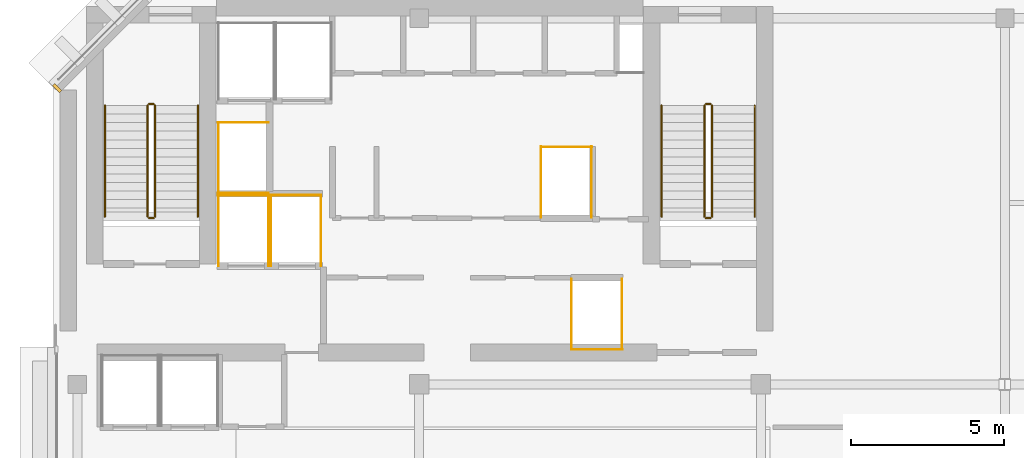
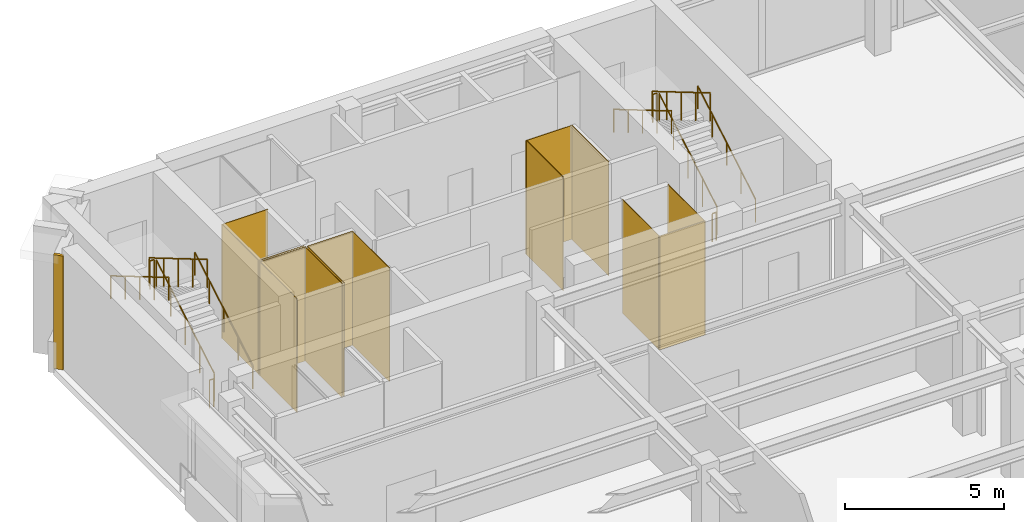
# One storey, part 8 of 9: 16 coverings, 12 railings.
"""IFC4 building model written with IfcOpenShell, lengths in metres."""

from ifc_helpers import new_model, si_unit, direction, frame, origin, origin_2d, place, context, subcontext, project, spatial, polyline, rectangle, circle, outline, extrude, material, layer, layer_set, type_object, element, save


model = new_model("IFC4")

# Units and contexts
model_context = context("Model", 3, precision=1e-05, world=origin(), true_north=direction((0.0, 1.0)))
body_context = subcontext(model_context, "Body", "Model", "MODEL_VIEW")
ifc_project = project(units=[si_unit("LENGTHUNIT", "METRE"), si_unit("AREAUNIT", "SQUARE_METRE"), si_unit("VOLUMEUNIT", "CUBIC_METRE"), si_unit("PLANEANGLEUNIT", "RADIAN"), si_unit("MASSUNIT", "GRAM", prefix="KILO")], contexts=[model_context])

# Site, building, storey
site_placement = place(None, origin())
site = spatial("IfcSite", under=ifc_project, at=site_placement, CompositionType="ELEMENT")
building_placement = place(site_placement, origin())
building = spatial("IfcBuilding", under=site, at=building_placement, Name="Kefirva Bronze Tower", CompositionType="ELEMENT")
storey_placement = place(building_placement, frame((0.0, 0.0, 352.110107421875)))
storey = spatial("IfcBuildingStorey", under=building, at=storey_placement, Name="L86", CompositionType="ELEMENT", Elevation=352.110107421875)

# Coverings
ifc_material_1 = material(Name="Bronze anodised aluminium", Category="aluminium")
ifc_layer = layer(ifc_material_1, 0.02001953125, Name="Bronze anodised aluminium")
ifc_layer_set = layer_set([ifc_layer], Name="Bronze anodised aluminium")
covering_type = type_object("IfcCoveringType", Name="Anodised Bronze Spandrel Cladding 20mm", PredefinedType="CLADDING", material=ifc_layer_set)
covering_1_placement = place(storey_placement, frame((0.137939453125, 42.91162109375, -0.000244140625), z_axis=(0.0, 0.0, 1.0), x_axis=(-0.707106781187, -0.707106781187, 0.0)))
element("IfcCovering", 1, at=covering_1_placement, inside=storey, type_object=covering_type, Name="L86 Facade Joint Closure Panel 6E", PredefinedType="CLADDING", context=body_context, shape_type="SweptSolid", body=[
    extrude(rectangle(XDim=0.10009765625, YDim=0.320068359375, at=origin_2d()), origin(), (0.0, 0.0, 1.0), 4.3701171875),
])
covering_2_placement = place(storey_placement, origin())
element("IfcCovering", 2, at=covering_2_placement, inside=storey, type_object=covering_type, Name="L86 Lift FF1 Hoistway Liner N", PredefinedType="CLADDING", context=body_context, shape_type="SweptSolid", body=[
    extrude(outline(polyline([(5.39990234375, 39.389892578125), (7.080078125, 39.389892578125), (7.080078125, 39.409912109375), (5.39990234375, 39.409912109375), (5.39990234375, 39.389892578125)])), origin(), (0.0, 0.0, 1.0), 4.369873046875),
])
covering_3_placement = place(storey_placement, origin())
element("IfcCovering", 3, at=covering_3_placement, inside=storey, type_object=covering_type, Name="L86 Lift FF1 Hoistway Liner W", PredefinedType="CLADDING", context=body_context, shape_type="SweptSolid", body=[
    extrude(outline(polyline([(5.409912109375, 37.080078125), (5.429931640625, 37.080078125), (5.429931640625, 39.419921875), (5.409912109375, 39.419921875), (5.409912109375, 37.080078125)])), origin(), (0.0, 0.0, 1.0), 4.369873046875),
])
covering_4_placement = place(storey_placement, origin())
element("IfcCovering", 4, at=covering_4_placement, inside=storey, type_object=covering_type, Name="L86 Lift FF1 Hoistway Liner E", PredefinedType="CLADDING", context=body_context, shape_type="SweptSolid", body=[
    extrude(outline(polyline([(7.050048828125, 37.080078125), (7.070068359375, 37.080078125), (7.070068359375, 39.419921875), (7.050048828125, 39.419921875), (7.050048828125, 37.080078125)])), origin(), (0.0, 0.0, 1.0), 4.369873046875),
])
covering_5_placement = place(storey_placement, origin())
element("IfcCovering", 5, at=covering_5_placement, inside=storey, type_object=covering_type, Name="L86 Lift FF2 Hoistway Liner N", PredefinedType="CLADDING", context=body_context, shape_type="SweptSolid", body=[
    extrude(outline(polyline([(7.1201171875, 39.389892578125), (8.800048828125, 39.389892578125), (8.800048828125, 39.409912109375), (7.1201171875, 39.409912109375), (7.1201171875, 39.389892578125)])), origin(), (0.0, 0.0, 1.0), 4.369873046875),
])
covering_6_placement = place(storey_placement, origin())
element("IfcCovering", 6, at=covering_6_placement, inside=storey, type_object=covering_type, Name="L86 Lift FF2 Hoistway Liner W", PredefinedType="CLADDING", context=body_context, shape_type="SweptSolid", body=[
    extrude(outline(polyline([(7.1298828125, 37.080078125), (7.14990234375, 37.080078125), (7.14990234375, 39.419921875), (7.1298828125, 39.419921875), (7.1298828125, 37.080078125)])), origin(), (0.0, 0.0, 1.0), 4.369873046875),
])
covering_7_placement = place(storey_placement, origin())
element("IfcCovering", 7, at=covering_7_placement, inside=storey, type_object=covering_type, Name="L86 Lift FF2 Hoistway Liner E", PredefinedType="CLADDING", context=body_context, shape_type="SweptSolid", body=[
    extrude(outline(polyline([(8.77001953125, 37.080078125), (8.7900390625, 37.080078125), (8.7900390625, 39.419921875), (8.77001953125, 39.419921875), (8.77001953125, 37.080078125)])), origin(), (0.0, 0.0, 1.0), 4.369873046875),
])
covering_8_placement = place(storey_placement, origin())
element("IfcCovering", 8, at=covering_8_placement, inside=storey, type_object=covering_type, Name="L86 Lift HP1 Hoistway Liner S", PredefinedType="CLADDING", context=body_context, shape_type="SweptSolid", body=[
    extrude(outline(polyline([(16.97998046875, 34.340087890625), (18.669921875, 34.340087890625), (18.669921875, 34.360107421875), (16.97998046875, 34.360107421875), (16.97998046875, 34.340087890625)])), origin(), (0.0, 0.0, 1.0), 4.369873046875),
])
covering_9_placement = place(storey_placement, origin())
element("IfcCovering", 9, at=covering_9_placement, inside=storey, type_object=covering_type, Name="L86 Lift HP1 Hoistway Liner W", PredefinedType="CLADDING", context=body_context, shape_type="SweptSolid", body=[
    extrude(outline(polyline([(16.989990234375, 34.330078125), (17.010009765625, 34.330078125), (17.010009765625, 36.669921875), (16.989990234375, 36.669921875), (16.989990234375, 34.330078125)])), origin(), (0.0, 0.0, 1.0), 4.369873046875),
])
covering_10_placement = place(storey_placement, origin())
element("IfcCovering", 10, at=covering_10_placement, inside=storey, type_object=covering_type, Name="L86 Lift HP1 Hoistway Liner E", PredefinedType="CLADDING", context=body_context, shape_type="SweptSolid", body=[
    extrude(outline(polyline([(18.639892578125, 34.330078125), (18.659912109375, 34.330078125), (18.659912109375, 36.669921875), (18.639892578125, 36.669921875), (18.639892578125, 34.330078125)])), origin(), (0.0, 0.0, 1.0), 4.369873046875),
])
covering_11_placement = place(storey_placement, origin())
element("IfcCovering", 11, at=covering_11_placement, inside=storey, type_object=covering_type, Name="L86 Lift HP2 Hoistway Liner N", PredefinedType="CLADDING", context=body_context, shape_type="SweptSolid", body=[
    extrude(outline(polyline([(15.97998046875, 40.969970703125), (17.669921875, 40.969970703125), (17.669921875, 40.989990234375), (15.97998046875, 40.989990234375), (15.97998046875, 40.969970703125)])), origin(), (0.0, 0.0, 1.0), 4.369873046875),
])
covering_12_placement = place(storey_placement, origin())
element("IfcCovering", 12, at=covering_12_placement, inside=storey, type_object=covering_type, Name="L86 Lift HP2 Hoistway Liner W", PredefinedType="CLADDING", context=body_context, shape_type="SweptSolid", body=[
    extrude(outline(polyline([(15.989990234375, 38.659912109375), (16.010009765625, 38.659912109375), (16.010009765625, 41.0), (15.989990234375, 41.0), (15.989990234375, 38.659912109375)])), origin(), (0.0, 0.0, 1.0), 4.369873046875),
])
covering_13_placement = place(storey_placement, origin())
element("IfcCovering", 13, at=covering_13_placement, inside=storey, type_object=covering_type, Name="L86 Lift HP2 Hoistway Liner E", PredefinedType="CLADDING", context=body_context, shape_type="SweptSolid", body=[
    extrude(outline(polyline([(17.639892578125, 38.659912109375), (17.659912109375, 38.659912109375), (17.659912109375, 41.0), (17.639892578125, 41.0), (17.639892578125, 38.659912109375)])), origin(), (0.0, 0.0, 1.0), 4.369873046875),
])
covering_14_placement = place(storey_placement, origin())
element("IfcCovering", 14, at=covering_14_placement, inside=storey, type_object=covering_type, Name="L86 Lift HP3 Hoistway Liner N", PredefinedType="CLADDING", context=body_context, shape_type="SweptSolid", body=[
    extrude(outline(polyline([(5.39990234375, 41.77001953125), (7.080078125, 41.77001953125), (7.080078125, 41.7900390625), (5.39990234375, 41.7900390625), (5.39990234375, 41.77001953125)])), origin(), (0.0, 0.0, 1.0), 4.369873046875),
])
covering_15_placement = place(storey_placement, origin())
element("IfcCovering", 15, at=covering_15_placement, inside=storey, type_object=covering_type, Name="L86 Lift HP3 Hoistway Liner S", PredefinedType="CLADDING", context=body_context, shape_type="SweptSolid", body=[
    extrude(outline(polyline([(5.39990234375, 39.469970703125), (7.080078125, 39.469970703125), (7.080078125, 39.489990234375), (5.39990234375, 39.489990234375), (5.39990234375, 39.469970703125)])), origin(), (0.0, 0.0, 1.0), 4.369873046875),
])
covering_16_placement = place(storey_placement, origin())
element("IfcCovering", 16, at=covering_16_placement, inside=storey, type_object=covering_type, Name="L86 Lift HP3 Hoistway Liner W", PredefinedType="CLADDING", context=body_context, shape_type="SweptSolid", body=[
    extrude(outline(polyline([(5.409912109375, 39.4599609375), (5.429931640625, 39.4599609375), (5.429931640625, 41.800048828125), (5.409912109375, 41.800048828125), (5.409912109375, 39.4599609375)])), origin(), (0.0, 0.0, 1.0), 4.369873046875),
])

# Railings
ifc_material_2 = material(Name="Stainless steel 316", Category="steel")
railing_type_1 = type_object("IfcRailingType", Name="Interior Stair Guardrail 1100mm", PredefinedType="GUARDRAIL", material=ifc_material_2)
railing_1_placement = place(storey_placement, frame((3.35009765625, 38.699951171875, 0.164794921875)))
element("IfcRailing", 17, at=railing_1_placement, inside=storey, type_object=railing_type_1, Name="L86 ST-1 stair guard 1", PredefinedType="GUARDRAIL", context=body_context, shape_type="SweptSolid", body=[
    extrude(circle(Radius=0.02392578125, at=origin_2d()), frame((0.0, 0.0, 1.076171875), z_axis=(0.0, 0.861544779993, 0.507681585313), x_axis=(-1.0, 0.0, 0.0)), (0.0, 0.0, 1.0), 4.22509765625),
    extrude(circle(Radius=0.02099609375, at=origin_2d()), origin(), (0.0, 0.0, 1.0), 1.052001953125),
    extrude(circle(Radius=0.02099609375, at=origin_2d()), frame((0.0, 0.91015625, 0.5361328125)), (0.0, 0.0, 1.0), 1.052001953125),
    extrude(circle(Radius=0.02099609375, at=origin_2d()), frame((0.0, 1.820068359375, 1.072509765625)), (0.0, 0.0, 1.0), 1.052001953125),
    extrude(circle(Radius=0.02099609375, at=origin_2d()), frame((0.0, 2.72998046875, 1.60888671875)), (0.0, 0.0, 1.0), 1.052001953125),
    extrude(circle(Radius=0.02099609375, at=origin_2d()), frame((0.0, 3.64013671875, 2.14501953125)), (0.0, 0.0, 1.0), 1.052001953125),
])
railing_2_placement = place(storey_placement, frame((3.300048828125, 42.389892578125, 2.309814453125)))
element("IfcRailing", 18, at=railing_2_placement, inside=storey, type_object=railing_type_1, Name="L86 ST-1 stair guard 2", PredefinedType="GUARDRAIL", context=body_context, shape_type="SweptSolid", body=[
    extrude(circle(Radius=0.02392578125, at=origin_2d()), frame((0.0, 0.0, 1.076171875), z_axis=(-1.0, 0.0, 0.0), x_axis=(0.0, -1.0, 0.0)), (0.0, 0.0, 1.0), 0.150146484375),
    extrude(circle(Radius=0.02099609375, at=origin_2d()), origin(), (0.0, 0.0, 1.0), 1.052001953125),
    extrude(circle(Radius=0.02099609375, at=origin_2d()), frame((-0.150146484375, 0.0, 0.0)), (0.0, 0.0, 1.0), 1.052001953125),
])
railing_3_placement = place(storey_placement, frame((3.10009765625, 42.340087890625, 2.474853515625)))
element("IfcRailing", 19, at=railing_3_placement, inside=storey, type_object=railing_type_1, Name="L86 ST-1 stair guard 3", PredefinedType="GUARDRAIL", context=body_context, shape_type="SweptSolid", body=[
    extrude(circle(Radius=0.02392578125, at=origin_2d()), frame((0.0, 0.0, 1.076171875), z_axis=(0.0, -0.861544779993, 0.507681585313), x_axis=(1.0, 0.0, 0.0)), (0.0, 0.0, 1.0), 4.22509765625),
    extrude(circle(Radius=0.02099609375, at=origin_2d()), origin(), (0.0, 0.0, 1.0), 1.052001953125),
    extrude(circle(Radius=0.02099609375, at=origin_2d()), frame((0.0, -0.91015625, 0.5361328125)), (0.0, 0.0, 1.0), 1.052001953125),
    extrude(circle(Radius=0.02099609375, at=origin_2d()), frame((0.0, -1.820068359375, 1.072509765625)), (0.0, 0.0, 1.0), 1.052001953125),
    extrude(circle(Radius=0.02099609375, at=origin_2d()), frame((0.0, -2.72998046875, 1.60888671875)), (0.0, 0.0, 1.0), 1.052001953125),
    extrude(circle(Radius=0.02099609375, at=origin_2d()), frame((0.0, -3.64013671875, 2.14501953125)), (0.0, 0.0, 1.0), 1.052001953125),
])
railing_4_placement = place(storey_placement, frame((3.300048828125, 38.64990234375, 0.0)))
element("IfcRailing", 20, at=railing_4_placement, inside=storey, type_object=railing_type_1, Name="L86 ST-1 stair guard 4", PredefinedType="GUARDRAIL", context=body_context, shape_type="SweptSolid", body=[
    extrude(circle(Radius=0.02392578125, at=origin_2d()), frame((0.0, 0.0, 1.076171875), z_axis=(-1.0, 0.0, 0.0), x_axis=(0.0, -1.0, 0.0)), (0.0, 0.0, 1.0), 0.150146484375),
    extrude(circle(Radius=0.02099609375, at=origin_2d()), origin(), (0.0, 0.0, 1.0), 1.052001953125),
    extrude(circle(Radius=0.02099609375, at=origin_2d()), frame((-0.150146484375, 0.0, 0.0)), (0.0, 0.0, 1.0), 1.052001953125),
])
railing_5_placement = place(storey_placement, frame((21.60009765625, 38.699951171875, 0.164794921875)))
element("IfcRailing", 21, at=railing_5_placement, inside=storey, type_object=railing_type_1, Name="L86 ST-2 stair guard 1", PredefinedType="GUARDRAIL", context=body_context, shape_type="SweptSolid", body=[
    extrude(circle(Radius=0.02392578125, at=origin_2d()), frame((0.0, 0.0, 1.076171875), z_axis=(0.0, 0.861544779993, 0.507681585313), x_axis=(-1.0, 0.0, 0.0)), (0.0, 0.0, 1.0), 4.22509765625),
    extrude(circle(Radius=0.02099609375, at=origin_2d()), origin(), (0.0, 0.0, 1.0), 1.052001953125),
    extrude(circle(Radius=0.02099609375, at=origin_2d()), frame((0.0, 0.91015625, 0.5361328125)), (0.0, 0.0, 1.0), 1.052001953125),
    extrude(circle(Radius=0.02099609375, at=origin_2d()), frame((0.0, 1.820068359375, 1.072509765625)), (0.0, 0.0, 1.0), 1.052001953125),
    extrude(circle(Radius=0.02099609375, at=origin_2d()), frame((0.0, 2.72998046875, 1.60888671875)), (0.0, 0.0, 1.0), 1.052001953125),
    extrude(circle(Radius=0.02099609375, at=origin_2d()), frame((0.0, 3.64013671875, 2.14501953125)), (0.0, 0.0, 1.0), 1.052001953125),
])
railing_6_placement = place(storey_placement, frame((21.550048828125, 42.389892578125, 2.309814453125)))
element("IfcRailing", 22, at=railing_6_placement, inside=storey, type_object=railing_type_1, Name="L86 ST-2 stair guard 2", PredefinedType="GUARDRAIL", context=body_context, shape_type="SweptSolid", body=[
    extrude(circle(Radius=0.02392578125, at=origin_2d()), frame((0.0, 0.0, 1.076171875), z_axis=(-1.0, 0.0, 0.0), x_axis=(0.0, -1.0, 0.0)), (0.0, 0.0, 1.0), 0.150146484375),
    extrude(circle(Radius=0.02099609375, at=origin_2d()), origin(), (0.0, 0.0, 1.0), 1.052001953125),
    extrude(circle(Radius=0.02099609375, at=origin_2d()), frame((-0.150146484375, 0.0, 0.0)), (0.0, 0.0, 1.0), 1.052001953125),
])
railing_7_placement = place(storey_placement, frame((21.35009765625, 42.340087890625, 2.474853515625)))
element("IfcRailing", 23, at=railing_7_placement, inside=storey, type_object=railing_type_1, Name="L86 ST-2 stair guard 3", PredefinedType="GUARDRAIL", context=body_context, shape_type="SweptSolid", body=[
    extrude(circle(Radius=0.02392578125, at=origin_2d()), frame((0.0, 0.0, 1.076171875), z_axis=(0.0, -0.861544779993, 0.507681585313), x_axis=(1.0, 0.0, 0.0)), (0.0, 0.0, 1.0), 4.22509765625),
    extrude(circle(Radius=0.02099609375, at=origin_2d()), origin(), (0.0, 0.0, 1.0), 1.052001953125),
    extrude(circle(Radius=0.02099609375, at=origin_2d()), frame((0.0, -0.91015625, 0.5361328125)), (0.0, 0.0, 1.0), 1.052001953125),
    extrude(circle(Radius=0.02099609375, at=origin_2d()), frame((0.0, -1.820068359375, 1.072509765625)), (0.0, 0.0, 1.0), 1.052001953125),
    extrude(circle(Radius=0.02099609375, at=origin_2d()), frame((0.0, -2.72998046875, 1.60888671875)), (0.0, 0.0, 1.0), 1.052001953125),
    extrude(circle(Radius=0.02099609375, at=origin_2d()), frame((0.0, -3.64013671875, 2.14501953125)), (0.0, 0.0, 1.0), 1.052001953125),
])
railing_8_placement = place(storey_placement, frame((21.550048828125, 38.64990234375, 0.0)))
element("IfcRailing", 24, at=railing_8_placement, inside=storey, type_object=railing_type_1, Name="L86 ST-2 stair guard 4", PredefinedType="GUARDRAIL", context=body_context, shape_type="SweptSolid", body=[
    extrude(circle(Radius=0.02392578125, at=origin_2d()), frame((0.0, 0.0, 1.076171875), z_axis=(-1.0, 0.0, 0.0), x_axis=(0.0, -1.0, 0.0)), (0.0, 0.0, 1.0), 0.150146484375),
    extrude(circle(Radius=0.02099609375, at=origin_2d()), origin(), (0.0, 0.0, 1.0), 1.052001953125),
    extrude(circle(Radius=0.02099609375, at=origin_2d()), frame((-0.150146484375, 0.0, 0.0)), (0.0, 0.0, 1.0), 1.052001953125),
])
railing_type_2 = type_object("IfcRailingType", Name="Stair Pitch Handrail 900mm", PredefinedType="HANDRAIL", material=ifc_material_2)
railing_9_placement = place(storey_placement, frame((4.75, 38.699951171875, 0.164794921875)))
element("IfcRailing", 25, at=railing_9_placement, inside=storey, type_object=railing_type_2, Name="L86 ST-1 stair handrail 1", PredefinedType="HANDRAIL", context=body_context, shape_type="SweptSolid", body=[
    extrude(circle(Radius=0.02392578125, at=origin_2d()), frame((0.0, 0.0, 0.8759765625), z_axis=(0.0, 0.861544779993, 0.507681585313), x_axis=(-1.0, 0.0, 0.0)), (0.0, 0.0, 1.0), 4.22509765625),
    extrude(circle(Radius=0.02099609375, at=origin_2d()), origin(), (0.0, 0.0, 1.0), 0.851806640625),
    extrude(circle(Radius=0.02099609375, at=origin_2d()), frame((0.0, 0.91015625, 0.5361328125)), (0.0, 0.0, 1.0), 0.851806640625),
    extrude(circle(Radius=0.02099609375, at=origin_2d()), frame((0.0, 1.820068359375, 1.072509765625)), (0.0, 0.0, 1.0), 0.851806640625),
    extrude(circle(Radius=0.02099609375, at=origin_2d()), frame((0.0, 2.72998046875, 1.60888671875)), (0.0, 0.0, 1.0), 0.851806640625),
    extrude(circle(Radius=0.02099609375, at=origin_2d()), frame((0.0, 3.64013671875, 2.14501953125)), (0.0, 0.0, 1.0), 0.851806640625),
])
railing_10_placement = place(storey_placement, frame((1.699951171875, 42.340087890625, 2.474853515625)))
element("IfcRailing", 26, at=railing_10_placement, inside=storey, type_object=railing_type_2, Name="L86 ST-1 stair handrail 2", PredefinedType="HANDRAIL", context=body_context, shape_type="SweptSolid", body=[
    extrude(circle(Radius=0.02392578125, at=origin_2d()), frame((0.0, 0.0, 0.8759765625), z_axis=(0.0, -0.861544779993, 0.507681585313), x_axis=(1.0, 0.0, 0.0)), (0.0, 0.0, 1.0), 4.22509765625),
    extrude(circle(Radius=0.02099609375, at=origin_2d()), origin(), (0.0, 0.0, 1.0), 0.851806640625),
    extrude(circle(Radius=0.02099609375, at=origin_2d()), frame((0.0, -0.91015625, 0.5361328125)), (0.0, 0.0, 1.0), 0.851806640625),
    extrude(circle(Radius=0.02099609375, at=origin_2d()), frame((0.0, -1.820068359375, 1.072509765625)), (0.0, 0.0, 1.0), 0.851806640625),
    extrude(circle(Radius=0.02099609375, at=origin_2d()), frame((0.0, -2.72998046875, 1.60888671875)), (0.0, 0.0, 1.0), 0.851806640625),
    extrude(circle(Radius=0.02099609375, at=origin_2d()), frame((0.0, -3.64013671875, 2.14501953125)), (0.0, 0.0, 1.0), 0.851806640625),
])
railing_11_placement = place(storey_placement, frame((23.0, 38.699951171875, 0.164794921875)))
element("IfcRailing", 27, at=railing_11_placement, inside=storey, type_object=railing_type_2, Name="L86 ST-2 stair handrail 1", PredefinedType="HANDRAIL", context=body_context, shape_type="SweptSolid", body=[
    extrude(circle(Radius=0.02392578125, at=origin_2d()), frame((0.0, 0.0, 0.8759765625), z_axis=(0.0, 0.861544779993, 0.507681585313), x_axis=(-1.0, 0.0, 0.0)), (0.0, 0.0, 1.0), 4.22509765625),
    extrude(circle(Radius=0.02099609375, at=origin_2d()), origin(), (0.0, 0.0, 1.0), 0.851806640625),
    extrude(circle(Radius=0.02099609375, at=origin_2d()), frame((0.0, 0.91015625, 0.5361328125)), (0.0, 0.0, 1.0), 0.851806640625),
    extrude(circle(Radius=0.02099609375, at=origin_2d()), frame((0.0, 1.820068359375, 1.072509765625)), (0.0, 0.0, 1.0), 0.851806640625),
    extrude(circle(Radius=0.02099609375, at=origin_2d()), frame((0.0, 2.72998046875, 1.60888671875)), (0.0, 0.0, 1.0), 0.851806640625),
    extrude(circle(Radius=0.02099609375, at=origin_2d()), frame((0.0, 3.64013671875, 2.14501953125)), (0.0, 0.0, 1.0), 0.851806640625),
])
railing_12_placement = place(storey_placement, frame((19.949951171875, 42.340087890625, 2.474853515625)))
element("IfcRailing", 28, at=railing_12_placement, inside=storey, type_object=railing_type_2, Name="L86 ST-2 stair handrail 2", PredefinedType="HANDRAIL", context=body_context, shape_type="SweptSolid", body=[
    extrude(circle(Radius=0.02392578125, at=origin_2d()), frame((0.0, 0.0, 0.8759765625), z_axis=(0.0, -0.861544779993, 0.507681585313), x_axis=(1.0, 0.0, 0.0)), (0.0, 0.0, 1.0), 4.22509765625),
    extrude(circle(Radius=0.02099609375, at=origin_2d()), origin(), (0.0, 0.0, 1.0), 0.851806640625),
    extrude(circle(Radius=0.02099609375, at=origin_2d()), frame((0.0, -0.91015625, 0.5361328125)), (0.0, 0.0, 1.0), 0.851806640625),
    extrude(circle(Radius=0.02099609375, at=origin_2d()), frame((0.0, -1.820068359375, 1.072509765625)), (0.0, 0.0, 1.0), 0.851806640625),
    extrude(circle(Radius=0.02099609375, at=origin_2d()), frame((0.0, -2.72998046875, 1.60888671875)), (0.0, 0.0, 1.0), 0.851806640625),
    extrude(circle(Radius=0.02099609375, at=origin_2d()), frame((0.0, -3.64013671875, 2.14501953125)), (0.0, 0.0, 1.0), 0.851806640625),
])

save(model, "model.ifc")
